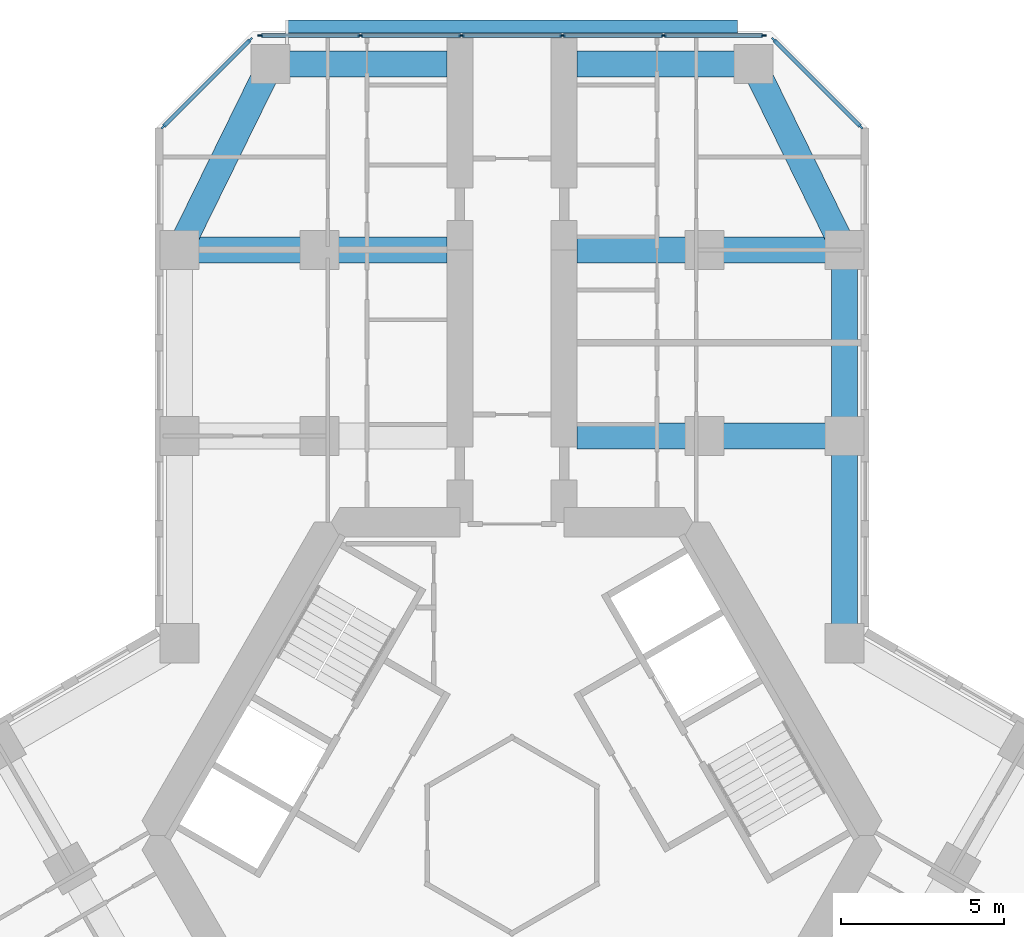
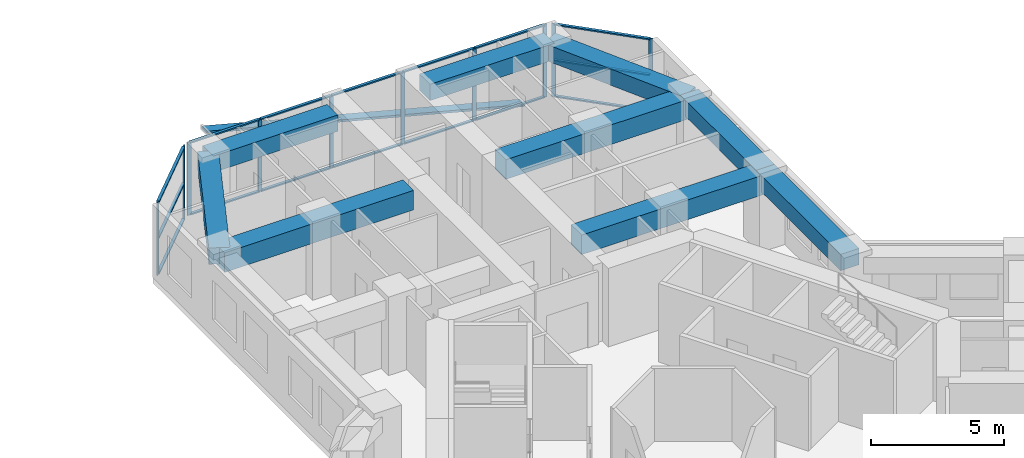
# One storey, part 7 of 20: 27 members, 9 beams, 3 elements without a shape of their own.
"""IFC4 building model written with IfcOpenShell, lengths in metres."""

from ifc_helpers import new_model, si_unit, direction, frame, origin, origin_2d, place, context, subcontext, project, spatial, rectangle, extrude, material, material_profile, profile_set, type_object, element, aggregate, save


model = new_model("IFC4")

# Units and contexts
model_context = context("Model", 3, precision=1e-05, world=origin(), true_north=direction((0.0, 1.0)))
body_context = subcontext(model_context, "Body", "Model", "MODEL_VIEW")
ifc_project = project(units=[si_unit("LENGTHUNIT", "METRE"), si_unit("AREAUNIT", "SQUARE_METRE"), si_unit("VOLUMEUNIT", "CUBIC_METRE"), si_unit("PLANEANGLEUNIT", "RADIAN"), si_unit("MASSUNIT", "GRAM", prefix="KILO")], contexts=[model_context])

# Site, building, storey
site_placement = place(None, origin())
site = spatial("IfcSite", under=ifc_project, at=site_placement, CompositionType="ELEMENT")
building_placement = place(site_placement, origin())
building = spatial("IfcBuilding", under=site, at=building_placement, Name="Kosmar Iwan School Tower", CompositionType="ELEMENT")
storey_placement = place(building_placement, frame((0.0, 0.0, 123.800048828125)))
storey = spatial("IfcBuildingStorey", under=building, at=storey_placement, Name="L30", CompositionType="ELEMENT", Elevation=123.800048828125)

# Member
ifc_material_1 = material(Name="Black anodised aluminium", Category="aluminium")
ifc_material_profile_1 = material_profile(ifc_material_1, rectangle(XDim=0.10009765625, YDim=0.39990234375, at=origin_2d()), Name="FIN 100x400")
ifc_profile_set_1 = profile_set([ifc_material_profile_1], Name="Black anodised aluminium")
member_type_1 = type_object("IfcMemberType", Name="Diagonal fin 100x400", PredefinedType="USERDEFINED", material=ifc_profile_set_1)
member_1_placement = place(storey_placement, frame((6.898193359375, 24.800048828125, -0.150146484375), z_axis=(-0.967599450335, 0.0, 0.252490205179), x_axis=(0.252490205179, 0.0, 0.967599450335)))
element("IfcMember", 1, at=member_1_placement, inside=storey, type_object=member_type_1, Name="Diagonal fin L30-F08", ObjectType="FIN", PredefinedType="USERDEFINED", context=body_context, shape_type="SweptSolid", body=[
    extrude(rectangle(XDim=0.10009765625, YDim=0.39990234375, at=origin_2d()), origin(), (0.0, 0.0, 1.0), 14.25830078125),
])

# Curtain wall, members
ifc_material_2 = material(Name="Dark glass in black aluminium frame", Category="aluminium")
curtain_wall_type_1 = type_object("IfcCurtainWallType", Name="Chamfer curtain wall dark glass", PredefinedType="USERDEFINED", material=ifc_material_2)
curtain_wall_1_placement = place(storey_placement, origin())
curtain_wall_1 = element("IfcCurtainWall", 2, at=curtain_wall_1_placement, inside=storey, type_object=curtain_wall_type_1, Name="Curtain wall L30-F07", ObjectType="FACETED CURTAIN WALL", PredefinedType="USERDEFINED")
ifc_material_3 = material(Name="Black anodised aluminium", Category="aluminium")
ifc_material_profile_2 = material_profile(ifc_material_3, rectangle(XDim=0.06005859375, YDim=0.159912109375, at=origin_2d()), Name="MULLION 60x160")
ifc_profile_set_2 = profile_set([ifc_material_profile_2], Name="Black anodised aluminium")
member_type_2 = type_object("IfcMemberType", Name="Mullion 60x160", PredefinedType="MULLION", material=ifc_profile_set_2)
member_2_placement = place(storey_placement, frame((10.69775390625, 21.7255859375, 0.0), z_axis=(0.0, 0.0, 1.0), x_axis=(-0.707106781187, -0.707106781187, 0.0)))
member_2 = element("IfcMember", 3, at=member_2_placement, type_object=member_type_2, Name="CW2 mullion 1", PredefinedType="MULLION", context=body_context, shape_type="SweptSolid", body=[
    extrude(rectangle(XDim=0.06005859375, YDim=0.159912109375, at=origin_2d()), origin(), (0.0, 0.0, 1.0), 3.349853515625),
])
member_3_placement = place(storey_placement, frame((8.025390625, 24.397705078125, 0.0), z_axis=(0.0, 0.0, 1.0), x_axis=(-0.707106781187, -0.707106781187, 0.0)))
member_3 = element("IfcMember", 4, at=member_3_placement, type_object=member_type_2, Name="CW2 mullion 2", PredefinedType="MULLION", context=body_context, shape_type="SweptSolid", body=[
    extrude(rectangle(XDim=0.06005859375, YDim=0.159912109375, at=origin_2d()), origin(), (0.0, 0.0, 1.0), 3.349853515625),
])

ifc_material_4 = material(Name="Dark glass in black aluminium frame", Category="aluminium")
curtain_wall_type_2 = type_object("IfcCurtainWallType", Name="Tower curtain wall dark glass", PredefinedType="USERDEFINED", material=ifc_material_4)
curtain_wall_2_placement = place(storey_placement, origin())
curtain_wall_2 = element("IfcCurtainWall", 5, at=curtain_wall_2_placement, inside=storey, type_object=curtain_wall_type_2, Name="Curtain wall L30-F08", ObjectType="UNITISED CURTAIN WALL", PredefinedType="USERDEFINED")
member_4_placement = place(storey_placement, frame((7.71826171875, 24.52490234375, 0.0), z_axis=(0.0, 0.0, 1.0), x_axis=(0.0, -1.0, 0.0)))
member_4 = element("IfcMember", 6, at=member_4_placement, type_object=member_type_2, Name="CW1 mullion 1", PredefinedType="MULLION", context=body_context, shape_type="SweptSolid", body=[
    extrude(rectangle(XDim=0.06005859375, YDim=0.159912109375, at=origin_2d()), origin(), (0.0, 0.0, 1.0), 3.349853515625),
])
member_5_placement = place(storey_placement, frame((4.64892578125, 24.52490234375, 0.0), z_axis=(0.0, 0.0, 1.0), x_axis=(0.0, -1.0, 0.0)))
member_5 = element("IfcMember", 7, at=member_5_placement, type_object=member_type_2, Name="CW1 mullion 2", PredefinedType="MULLION", context=body_context, shape_type="SweptSolid", body=[
    extrude(rectangle(XDim=0.06005859375, YDim=0.159912109375, at=origin_2d()), origin(), (0.0, 0.0, 1.0), 3.349853515625),
])
member_6_placement = place(storey_placement, frame((1.549560546875, 24.52490234375, 0.0), z_axis=(0.0, 0.0, 1.0), x_axis=(0.0, -1.0, 0.0)))
member_6 = element("IfcMember", 8, at=member_6_placement, type_object=member_type_2, Name="CW1 mullion 3", PredefinedType="MULLION", context=body_context, shape_type="SweptSolid", body=[
    extrude(rectangle(XDim=0.06005859375, YDim=0.159912109375, at=origin_2d()), origin(), (0.0, 0.0, 1.0), 3.349853515625),
])
member_7_placement = place(storey_placement, frame((-1.549560546875, 24.52490234375, 0.0), z_axis=(0.0, 0.0, 1.0), x_axis=(0.0, -1.0, 0.0)))
member_7 = element("IfcMember", 9, at=member_7_placement, type_object=member_type_2, Name="CW1 mullion 4", PredefinedType="MULLION", context=body_context, shape_type="SweptSolid", body=[
    extrude(rectangle(XDim=0.06005859375, YDim=0.159912109375, at=origin_2d()), origin(), (0.0, 0.0, 1.0), 3.349853515625),
])
member_8_placement = place(storey_placement, frame((-4.64892578125, 24.52490234375, 0.0), z_axis=(0.0, 0.0, 1.0), x_axis=(0.0, -1.0, 0.0)))
member_8 = element("IfcMember", 10, at=member_8_placement, type_object=member_type_2, Name="CW1 mullion 5", PredefinedType="MULLION", context=body_context, shape_type="SweptSolid", body=[
    extrude(rectangle(XDim=0.06005859375, YDim=0.159912109375, at=origin_2d()), origin(), (0.0, 0.0, 1.0), 3.349853515625),
])
member_9_placement = place(storey_placement, frame((-7.71826171875, 24.52490234375, 0.0), z_axis=(0.0, 0.0, 1.0), x_axis=(0.0, -1.0, 0.0)))
member_9 = element("IfcMember", 11, at=member_9_placement, type_object=member_type_2, Name="CW1 mullion 6", PredefinedType="MULLION", context=body_context, shape_type="SweptSolid", body=[
    extrude(rectangle(XDim=0.06005859375, YDim=0.159912109375, at=origin_2d()), origin(), (0.0, 0.0, 1.0), 3.349853515625),
])

curtain_wall_3_placement = place(storey_placement, origin())
curtain_wall_3 = element("IfcCurtainWall", 12, at=curtain_wall_3_placement, inside=storey, type_object=curtain_wall_type_1, Name="Curtain wall L30-F09", ObjectType="FACETED CURTAIN WALL", PredefinedType="USERDEFINED")
member_10_placement = place(storey_placement, frame((-8.025390625, 24.397705078125, 0.0), z_axis=(0.0, 0.0, 1.0), x_axis=(0.707106781187, -0.707106781187, 0.0)))
member_10 = element("IfcMember", 13, at=member_10_placement, type_object=member_type_2, Name="CW2 mullion 1", PredefinedType="MULLION", context=body_context, shape_type="SweptSolid", body=[
    extrude(rectangle(XDim=0.06005859375, YDim=0.159912109375, at=origin_2d()), origin(), (0.0, 0.0, 1.0), 3.349853515625),
])
member_11_placement = place(storey_placement, frame((-10.69775390625, 21.7255859375, 0.0), z_axis=(0.0, 0.0, 1.0), x_axis=(0.707106781187, -0.707106781187, 0.0)))
member_11 = element("IfcMember", 14, at=member_11_placement, type_object=member_type_2, Name="CW2 mullion 2", PredefinedType="MULLION", context=body_context, shape_type="SweptSolid", body=[
    extrude(rectangle(XDim=0.06005859375, YDim=0.159912109375, at=origin_2d()), origin(), (0.0, 0.0, 1.0), 3.349853515625),
])

# Beams
ifc_material_5 = material(Name="Concrete C50/60", Category="concrete")
ifc_material_profile_3 = material_profile(ifc_material_5, rectangle(XDim=0.800048828125, YDim=0.75, at=origin_2d()), Name="RC 800x750")
ifc_profile_set_3 = profile_set([ifc_material_profile_3], Name="Concrete C50/60")
beam_type_1 = type_object("IfcBeamType", Name="RC edge beam 800x750", PredefinedType="BEAM", material=ifc_profile_set_3)
beam_1_placement = place(storey_placement, frame((10.199951171875, 5.888916015625, 2.974853515625), z_axis=(0.0, 1.0, 0.0), x_axis=(-1.0, 0.0, 0.0)))
element("IfcBeam", 15, at=beam_1_placement, inside=storey, type_object=beam_type_1, Name="Edge beam AR1", PredefinedType="BEAM", context=body_context, shape_type="SweptSolid", body=[
    extrude(rectangle(XDim=0.800048828125, YDim=0.75, at=origin_2d()), origin(), (0.0, 0.0, 1.0), 6.361083984375),
])
beam_2_placement = place(storey_placement, frame((10.199951171875, 12.25, 2.974853515625), z_axis=(0.0, 1.0, 0.0), x_axis=(-1.0, 0.0, 0.0)))
element("IfcBeam", 16, at=beam_2_placement, inside=storey, type_object=beam_type_1, Name="Edge beam AR2", PredefinedType="BEAM", context=body_context, shape_type="SweptSolid", body=[
    extrude(rectangle(XDim=0.800048828125, YDim=0.75, at=origin_2d()), origin(), (0.0, 0.0, 1.0), 5.699951171875),
])
ifc_material_6 = material(Name="Concrete C50/60", Category="concrete")
ifc_material_profile_4 = material_profile(ifc_material_6, rectangle(XDim=0.800048828125, YDim=0.75, at=origin_2d()), Name="RC 800x750")
ifc_profile_set_4 = profile_set([ifc_material_profile_4], Name="Concrete C50/60")
beam_type_2 = type_object("IfcBeamType", Name="RC tip beam 800x750", PredefinedType="BEAM", material=ifc_profile_set_4)
beam_3_placement = place(storey_placement, frame((-10.199951171875, 17.949951171875, 2.974853515625), z_axis=(0.440913116462, 0.897549788999, 0.0), x_axis=(-0.897549788999, 0.440913116462, 0.0)))
element("IfcBeam", 17, at=beam_3_placement, inside=storey, type_object=beam_type_2, Name="Tip beam AL", PredefinedType="BEAM", context=body_context, shape_type="SweptSolid", body=[
    extrude(rectangle(XDim=0.800048828125, YDim=0.75, at=origin_2d()), origin(), (0.0, 0.0, 1.0), 6.3505859375),
])
beam_4_placement = place(storey_placement, frame((-7.39990234375, 23.64990234375, 2.974853515625), z_axis=(1.0, 0.0, 0.0), x_axis=(0.0, 1.0, 0.0)))
element("IfcBeam", 18, at=beam_4_placement, inside=storey, type_object=beam_type_2, Name="Tip beam AL to corridor wall", PredefinedType="BEAM", context=body_context, shape_type="SweptSolid", body=[
    extrude(rectangle(XDim=0.800048828125, YDim=0.75, at=origin_2d()), origin(), (0.0, 0.0, 1.0), 5.39990234375),
])
beam_5_placement = place(storey_placement, frame((10.199951171875, 17.949951171875, 2.974853515625), z_axis=(-0.440913116462, 0.897549788999, 0.0), x_axis=(-0.897549788999, -0.440913116462, 0.0)))
element("IfcBeam", 19, at=beam_5_placement, inside=storey, type_object=beam_type_2, Name="Tip beam AR", PredefinedType="BEAM", context=body_context, shape_type="SweptSolid", body=[
    extrude(rectangle(XDim=0.800048828125, YDim=0.75, at=origin_2d()), origin(), (0.0, 0.0, 1.0), 6.3505859375),
])
beam_6_placement = place(storey_placement, frame((7.39990234375, 23.64990234375, 2.974853515625), z_axis=(-1.0, 0.0, 0.0), x_axis=(0.0, -1.0, 0.0)))
element("IfcBeam", 20, at=beam_6_placement, inside=storey, type_object=beam_type_2, Name="Tip beam AR to corridor wall", PredefinedType="BEAM", context=body_context, shape_type="SweptSolid", body=[
    extrude(rectangle(XDim=0.800048828125, YDim=0.75, at=origin_2d()), origin(), (0.0, 0.0, 1.0), 5.39990234375),
])
ifc_material_7 = material(Name="Concrete C50/60", Category="concrete")
ifc_material_profile_5 = material_profile(ifc_material_7, rectangle(XDim=0.800048828125, YDim=0.89990234375, at=origin_2d()), Name="RC 800x900")
ifc_profile_set_5 = profile_set([ifc_material_profile_5], Name="Concrete C50/60")
beam_type_3 = type_object("IfcBeamType", Name="RC transverse beam 800x900", PredefinedType="BEAM", material=ifc_profile_set_5)
for number, where, z_axis, x_axis, name in (
    (21, (-10.199951171875, 17.949951171875, 2.89990234375), (1.0, 0.0, 0.0), (0.0, 1.0, 0.0), "Transverse beam AL2"),
    (22, (10.199951171875, 12.25, 2.89990234375), (-1.0, 0.0, 0.0), (0.0, -1.0, 0.0), "Transverse beam AR1"),
    (23, (10.199951171875, 17.949951171875, 2.89990234375), (-1.0, 0.0, 0.0), (0.0, -1.0, 0.0), "Transverse beam AR2"),
):
    element("IfcBeam", number, at=place(storey_placement, frame(where, z_axis=z_axis, x_axis=x_axis)), inside=storey, type_object=beam_type_3, Name=name, PredefinedType="BEAM", context=body_context, shape_type="SweptSolid", body=[
        extrude(rectangle(XDim=0.800048828125, YDim=0.89990234375, at=origin_2d()), origin(), (0.0, 0.0, 1.0), 8.199951171875),
    ])

# Member
ifc_material_8 = material(Name="Black anodised aluminium", Category="aluminium")
ifc_material_profile_6 = material_profile(ifc_material_8, rectangle(XDim=0.1201171875, YDim=0.06005859375, at=origin_2d()), Name="TRANSOM 60x120")
ifc_profile_set_6 = profile_set([ifc_material_profile_6], Name="Black anodised aluminium")
member_type_3 = type_object("IfcMemberType", Name="Transom 60x120", PredefinedType="USERDEFINED", material=ifc_profile_set_6)
member_12_placement = place(storey_placement, frame((10.676513671875, 21.746826171875, 0.030029296875), z_axis=(-0.707139603466, 0.707073957383, 0.0), x_axis=(-0.707073957383, -0.707139603466, 0.0)))
member_12 = element("IfcMember", 24, at=member_12_placement, type_object=member_type_3, Name="CW2 transom 1.1", ObjectType="TRANSOM", PredefinedType="USERDEFINED", context=body_context, shape_type="SweptSolid", body=[
    extrude(rectangle(XDim=0.1201171875, YDim=0.06005859375, at=origin_2d()), origin(), (0.0, 0.0, 1.0), 3.718994140625),
])

member_13_placement = place(storey_placement, frame((10.676513671875, 21.746826171875, 1.675048828125), z_axis=(-0.707139603466, 0.707073957383, 0.0), x_axis=(-0.707073957383, -0.707139603466, 0.0)))
member_13 = element("IfcMember", 25, at=member_13_placement, type_object=member_type_3, Name="CW2 transom 1.2", ObjectType="TRANSOM", PredefinedType="USERDEFINED", context=body_context, shape_type="SweptSolid", body=[
    extrude(rectangle(XDim=0.1201171875, YDim=0.06005859375, at=origin_2d()), origin(), (0.0, 0.0, 1.0), 3.718994140625),
])

member_14_placement = place(storey_placement, frame((10.676513671875, 21.746826171875, 3.320068359375), z_axis=(-0.707139603466, 0.707073957383, 0.0), x_axis=(-0.707073957383, -0.707139603466, 0.0)))
member_14 = element("IfcMember", 26, at=member_14_placement, type_object=member_type_3, Name="CW2 transom 1.3", ObjectType="TRANSOM", PredefinedType="USERDEFINED", context=body_context, shape_type="SweptSolid", body=[
    extrude(rectangle(XDim=0.1201171875, YDim=0.06005859375, at=origin_2d()), origin(), (0.0, 0.0, 1.0), 3.718994140625),
])

aggregate(curtain_wall_1, [member_2, member_3, member_12, member_13, member_14])

member_15_placement = place(storey_placement, frame((7.688232421875, 24.52490234375, 0.030029296875), z_axis=(-1.0, 0.0, 0.0), x_axis=(0.0, -1.0, 0.0)))
member_15 = element("IfcMember", 27, at=member_15_placement, type_object=member_type_3, Name="CW1 transom 1.1", ObjectType="TRANSOM", PredefinedType="USERDEFINED", context=body_context, shape_type="SweptSolid", body=[
    extrude(rectangle(XDim=0.1201171875, YDim=0.06005859375, at=origin_2d()), origin(), (0.0, 0.0, 1.0), 3.00927734375),
])

member_16_placement = place(storey_placement, frame((7.688232421875, 24.52490234375, 3.320068359375), z_axis=(-1.0, 0.0, 0.0), x_axis=(0.0, -1.0, 0.0)))
member_16 = element("IfcMember", 28, at=member_16_placement, type_object=member_type_3, Name="CW1 transom 1.2", ObjectType="TRANSOM", PredefinedType="USERDEFINED", context=body_context, shape_type="SweptSolid", body=[
    extrude(rectangle(XDim=0.1201171875, YDim=0.06005859375, at=origin_2d()), origin(), (0.0, 0.0, 1.0), 3.00927734375),
])

member_17_placement = place(storey_placement, frame((4.618896484375, 24.52490234375, 0.030029296875), z_axis=(-1.0, 0.0, 0.0), x_axis=(0.0, -1.0, 0.0)))
member_17 = element("IfcMember", 29, at=member_17_placement, type_object=member_type_3, Name="CW1 transom 2.1", ObjectType="TRANSOM", PredefinedType="USERDEFINED", context=body_context, shape_type="SweptSolid", body=[
    extrude(rectangle(XDim=0.1201171875, YDim=0.06005859375, at=origin_2d()), origin(), (0.0, 0.0, 1.0), 3.039306640625),
])

member_18_placement = place(storey_placement, frame((4.618896484375, 24.52490234375, 3.320068359375), z_axis=(-1.0, 0.0, 0.0), x_axis=(0.0, -1.0, 0.0)))
member_18 = element("IfcMember", 30, at=member_18_placement, type_object=member_type_3, Name="CW1 transom 2.2", ObjectType="TRANSOM", PredefinedType="USERDEFINED", context=body_context, shape_type="SweptSolid", body=[
    extrude(rectangle(XDim=0.1201171875, YDim=0.06005859375, at=origin_2d()), origin(), (0.0, 0.0, 1.0), 3.039306640625),
])

member_19_placement = place(storey_placement, frame((1.51953125, 24.52490234375, 0.030029296875), z_axis=(-1.0, 0.0, 0.0), x_axis=(0.0, -1.0, 0.0)))
member_19 = element("IfcMember", 31, at=member_19_placement, type_object=member_type_3, Name="CW1 transom 3.1", ObjectType="TRANSOM", PredefinedType="USERDEFINED", context=body_context, shape_type="SweptSolid", body=[
    extrude(rectangle(XDim=0.1201171875, YDim=0.06005859375, at=origin_2d()), origin(), (0.0, 0.0, 1.0), 3.0390625),
])

member_20_placement = place(storey_placement, frame((1.51953125, 24.52490234375, 3.320068359375), z_axis=(-1.0, 0.0, 0.0), x_axis=(0.0, -1.0, 0.0)))
member_20 = element("IfcMember", 32, at=member_20_placement, type_object=member_type_3, Name="CW1 transom 3.2", ObjectType="TRANSOM", PredefinedType="USERDEFINED", context=body_context, shape_type="SweptSolid", body=[
    extrude(rectangle(XDim=0.1201171875, YDim=0.06005859375, at=origin_2d()), origin(), (0.0, 0.0, 1.0), 3.0390625),
])

member_21_placement = place(storey_placement, frame((-1.57958984375, 24.52490234375, 0.030029296875), z_axis=(-1.0, 0.0, 0.0), x_axis=(0.0, -1.0, 0.0)))
member_21 = element("IfcMember", 33, at=member_21_placement, type_object=member_type_3, Name="CW1 transom 4.1", ObjectType="TRANSOM", PredefinedType="USERDEFINED", context=body_context, shape_type="SweptSolid", body=[
    extrude(rectangle(XDim=0.1201171875, YDim=0.06005859375, at=origin_2d()), origin(), (0.0, 0.0, 1.0), 3.039306640625),
])

member_22_placement = place(storey_placement, frame((-1.57958984375, 24.52490234375, 3.320068359375), z_axis=(-1.0, 0.0, 0.0), x_axis=(0.0, -1.0, 0.0)))
member_22 = element("IfcMember", 34, at=member_22_placement, type_object=member_type_3, Name="CW1 transom 4.2", ObjectType="TRANSOM", PredefinedType="USERDEFINED", context=body_context, shape_type="SweptSolid", body=[
    extrude(rectangle(XDim=0.1201171875, YDim=0.06005859375, at=origin_2d()), origin(), (0.0, 0.0, 1.0), 3.039306640625),
])

member_23_placement = place(storey_placement, frame((-4.678955078125, 24.52490234375, 0.030029296875), z_axis=(-1.0, 0.0, 0.0), x_axis=(0.0, -1.0, 0.0)))
member_23 = element("IfcMember", 35, at=member_23_placement, type_object=member_type_3, Name="CW1 transom 5.1", ObjectType="TRANSOM", PredefinedType="USERDEFINED", context=body_context, shape_type="SweptSolid", body=[
    extrude(rectangle(XDim=0.1201171875, YDim=0.06005859375, at=origin_2d()), origin(), (0.0, 0.0, 1.0), 3.00927734375),
])

member_24_placement = place(storey_placement, frame((-4.678955078125, 24.52490234375, 3.320068359375), z_axis=(-1.0, 0.0, 0.0), x_axis=(0.0, -1.0, 0.0)))
member_24 = element("IfcMember", 36, at=member_24_placement, type_object=member_type_3, Name="CW1 transom 5.2", ObjectType="TRANSOM", PredefinedType="USERDEFINED", context=body_context, shape_type="SweptSolid", body=[
    extrude(rectangle(XDim=0.1201171875, YDim=0.06005859375, at=origin_2d()), origin(), (0.0, 0.0, 1.0), 3.00927734375),
])

aggregate(curtain_wall_2, [member_4, member_5, member_6, member_7, member_8, member_9, member_15, member_16, member_17, member_18, member_19, member_20, member_21, member_22, member_23, member_24])

member_25_placement = place(storey_placement, frame((-8.046630859375, 24.37646484375, 0.030029296875), z_axis=(-0.707139603466, -0.707073957383, 0.0), x_axis=(0.707073957383, -0.707139603466, 0.0)))
member_25 = element("IfcMember", 37, at=member_25_placement, type_object=member_type_3, Name="CW2 transom 1.1", ObjectType="TRANSOM", PredefinedType="USERDEFINED", context=body_context, shape_type="SweptSolid", body=[
    extrude(rectangle(XDim=0.1201171875, YDim=0.06005859375, at=origin_2d()), origin(), (0.0, 0.0, 1.0), 3.718994140625),
])

member_26_placement = place(storey_placement, frame((-8.046630859375, 24.37646484375, 1.675048828125), z_axis=(-0.707139603466, -0.707073957383, 0.0), x_axis=(0.707073957383, -0.707139603466, 0.0)))
member_26 = element("IfcMember", 38, at=member_26_placement, type_object=member_type_3, Name="CW2 transom 1.2", ObjectType="TRANSOM", PredefinedType="USERDEFINED", context=body_context, shape_type="SweptSolid", body=[
    extrude(rectangle(XDim=0.1201171875, YDim=0.06005859375, at=origin_2d()), origin(), (0.0, 0.0, 1.0), 3.718994140625),
])

member_27_placement = place(storey_placement, frame((-8.046630859375, 24.37646484375, 3.320068359375), z_axis=(-0.707139603466, -0.707073957383, 0.0), x_axis=(0.707073957383, -0.707139603466, 0.0)))
member_27 = element("IfcMember", 39, at=member_27_placement, type_object=member_type_3, Name="CW2 transom 1.3", ObjectType="TRANSOM", PredefinedType="USERDEFINED", context=body_context, shape_type="SweptSolid", body=[
    extrude(rectangle(XDim=0.1201171875, YDim=0.06005859375, at=origin_2d()), origin(), (0.0, 0.0, 1.0), 3.718994140625),
])

aggregate(curtain_wall_3, [member_10, member_11, member_25, member_26, member_27])

save(model, "model.ifc")
